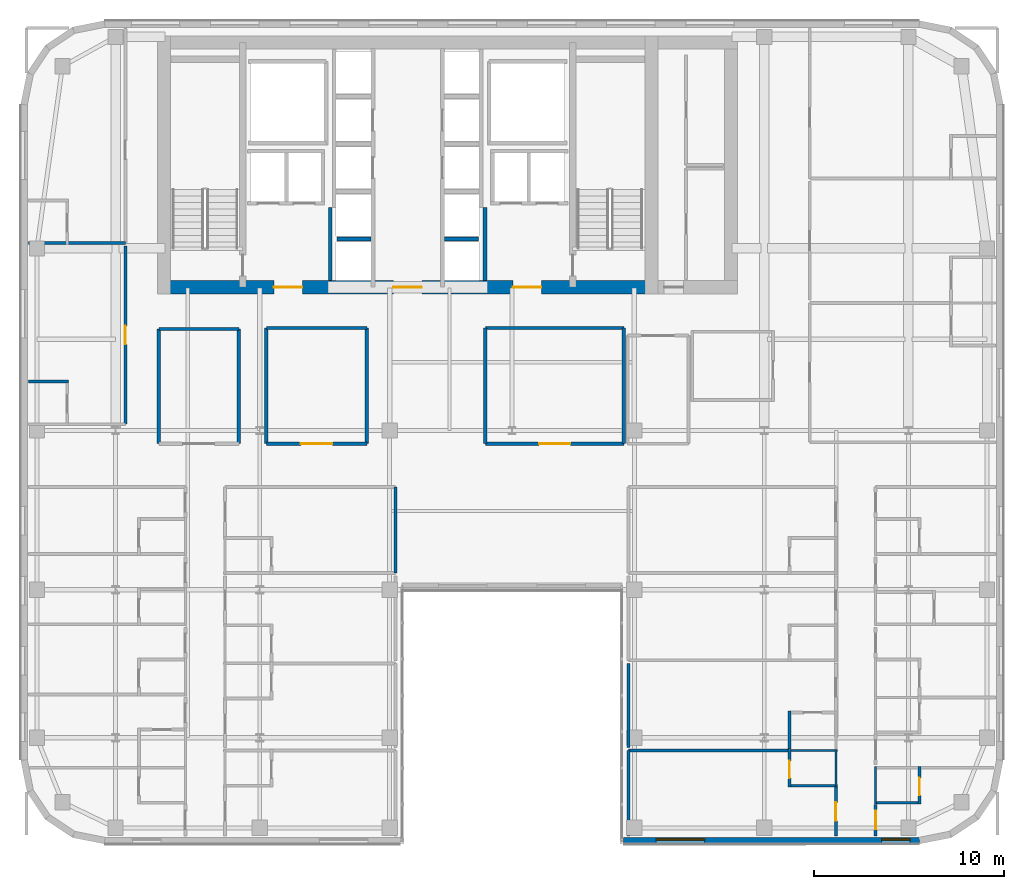
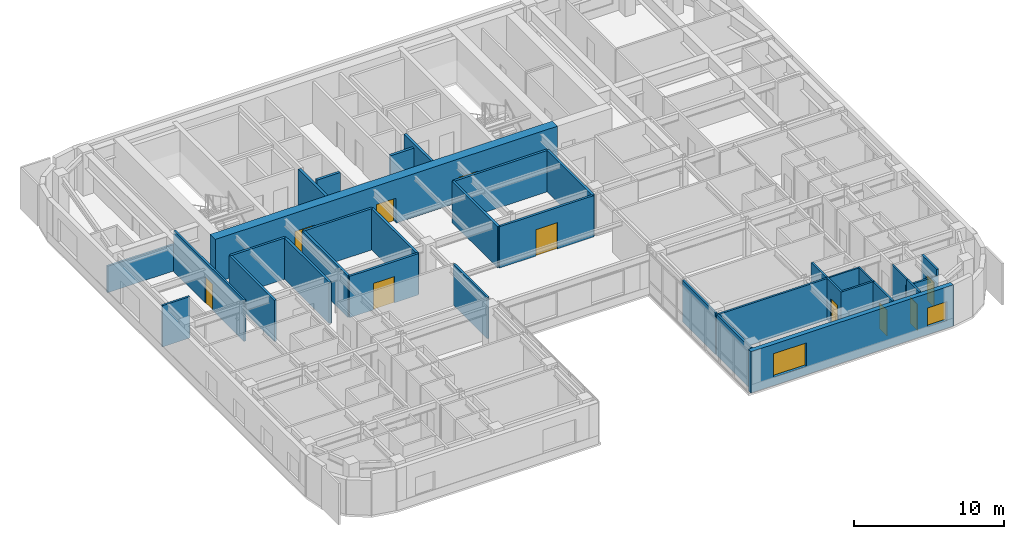
# One storey, part 11 of 21: 34 walls, 10 doors, 2 windows, 12 openings.
"""IFC4 building model written with IfcOpenShell, lengths in metres."""

from ifc_helpers import new_model, si_unit, direction, frame, frame_2d, origin, place, context, subcontext, project, spatial, rectangle, extrude, source, transform, mapped, material, layer, layer_set, type_object, type_shapes, element, fill, save


model = new_model("IFC4")

# Units and contexts
model_context = context("Model", 3, precision=1e-05, world=origin(), true_north=direction((0.0, 1.0)))
body_context = subcontext(model_context, "Body", "Model", "MODEL_VIEW")
ifc_project = project(units=[si_unit("LENGTHUNIT", "METRE"), si_unit("AREAUNIT", "SQUARE_METRE"), si_unit("VOLUMEUNIT", "CUBIC_METRE"), si_unit("PLANEANGLEUNIT", "RADIAN"), si_unit("MASSUNIT", "GRAM", prefix="KILO")], contexts=[model_context])

# Site, building, storey
site_placement = place(None, origin())
site = spatial("IfcSite", under=ifc_project, at=site_placement, CompositionType="ELEMENT")
building_placement = place(site_placement, origin())
building = spatial("IfcBuilding", under=site, at=building_placement, Name="Tolvann Quenvar Hotel", CompositionType="ELEMENT")
storey_placement = place(building_placement, frame((0.0, 0.0, 161.25)))
storey = spatial("IfcBuildingStorey", under=building, at=storey_placement, Name="L42", CompositionType="ELEMENT", Elevation=161.25)

# Wall, openings, doors
ifc_material_1 = material(Name="Concrete S65 (65 MPa)", Category="concrete")
ifc_layer_1 = layer(ifc_material_1, 0.699951171875)
ifc_layer_set_1 = layer_set([ifc_layer_1], Name="Concrete S65 (65 MPa)")
wall_type_1 = type_object("IfcWallType", Name="WALL_CORE_700", PredefinedType="SHEAR", material=ifc_layer_set_1)
wall_1_placement = place(storey_placement, frame((9.800048828125, 31.949951171875, 0.0), z_axis=(0.0, 0.0, 1.0), x_axis=(1.0, 0.0, 0.0)))
wall_1 = element("IfcWall", 1, at=wall_1_placement, inside=storey, type_object=wall_type_1, Name="Rear Core S Shear Wall (L42)", PredefinedType="SHEAR", context=body_context, shape_type="SweptSolid", body=[
    extrude(rectangle(XDim=26.39990234375, YDim=0.699951171875, at=frame_2d((13.199951171875, 0.0))), origin(), (0.0, 0.0, 1.0), 3.550048828125),
])
opening_1_placement = place(wall_1_placement, frame((7.64990234375, 0.0, 0.0), z_axis=(0.0, 0.0, 1.0), x_axis=(-1.0, 0.0, 0.0)))
opening_1 = element("IfcOpeningElement", 2, at=opening_1_placement, cuts=wall_1, Name="Opening FD-60D", PredefinedType="OPENING", context=body_context, shape_type="SweptSolid", body=[
    extrude(rectangle(XDim=1.5, YDim=2.0400390625, at=frame_2d((0.75, 1.02001953125))), frame((0.0, 0.35986328125, 0.0), z_axis=(0.0, -1.0, 0.0), x_axis=(1.0, 0.0, 0.0)), (0.0, 0.0, 1.0), 0.719970703125),
])
opening_2_placement = place(wall_1_placement, frame((13.949951171875, 0.0, 0.0), z_axis=(0.0, 0.0, 1.0), x_axis=(-1.0, 0.0, 0.0)))
opening_2 = element("IfcOpeningElement", 3, at=opening_2_placement, cuts=wall_1, Name="Opening FD-60D", PredefinedType="OPENING", context=body_context, shape_type="SweptSolid", body=[
    extrude(rectangle(XDim=1.5, YDim=2.0400390625, at=frame_2d((0.75, 1.02001953125))), frame((0.0, 0.35986328125, 0.0), z_axis=(0.0, -1.0, 0.0), x_axis=(1.0, 0.0, 0.0)), (0.0, 0.0, 1.0), 0.719970703125),
])
opening_3_placement = place(wall_1_placement, frame((20.25, 0.0, 0.0), z_axis=(0.0, 0.0, 1.0), x_axis=(-1.0, 0.0, 0.0)))
opening_3 = element("IfcOpeningElement", 4, at=opening_3_placement, cuts=wall_1, Name="Opening FD-60D", PredefinedType="OPENING", context=body_context, shape_type="SweptSolid", body=[
    extrude(rectangle(XDim=1.5, YDim=2.0400390625, at=frame_2d((0.75, 1.02001953125))), frame((0.0, 0.35986328125, 0.0), z_axis=(0.0, -1.0, 0.0), x_axis=(1.0, 0.0, 0.0)), (0.0, 0.0, 1.0), 0.719970703125),
])
ifc_material_2 = material(Name="Solid-core American oak acoustic fire door leaf in steel frame", Category="steel")
door_type_1 = type_object("IfcDoorType", Name="DOOR_FIRE_LOBBY_1500", OperationType="NOTDEFINED", PredefinedType="DOOR", material=ifc_material_2)
shared_shape_1 = source(origin(), body_context, "Body", "SweptSolid", [
    extrude(rectangle(XDim=1.5, YDim=2.0400390625, at=frame_2d((0.75, 1.02001953125))), frame((0.0, 0.02490234375, 0.0), z_axis=(0.0, -1.0, 0.0), x_axis=(1.0, 0.0, 0.0)), (0.0, 0.0, 1.0), 0.050048828125),
])
type_shapes(door_type_1, [shared_shape_1])
door_1_placement = place(opening_1_placement, origin())
door_1 = element("IfcDoor", 5, at=door_1_placement, inside=storey, type_object=door_type_1, Name="Core Lobby Fire Door FFW (L42)", OperationType="DOUBLE_DOOR_SINGLE_SWING", OverallHeight=2.0400390625, OverallWidth=1.5, PredefinedType="DOOR", context=body_context, shape_type="MappedRepresentation", body=[
    mapped(shared_shape_1, transform((0.0, 0.0, 0.0), x_axis=(1.0, 0.0, 0.0), y_axis=(0.0, 1.0, 0.0), z_axis=(0.0, 0.0, 1.0), scale=1.0)),
])
fill(opening_1, door_1)
door_2_placement = place(opening_2_placement, origin())
door_2 = element("IfcDoor", 6, at=door_2_placement, inside=storey, type_object=door_type_1, Name="Core Lobby Fire Door CLOB (L42)", OperationType="DOUBLE_DOOR_SINGLE_SWING", OverallHeight=2.0400390625, OverallWidth=1.5, PredefinedType="DOOR", context=body_context, shape_type="MappedRepresentation", body=[
    mapped(shared_shape_1, transform((0.0, 0.0, 0.0), x_axis=(1.0, 0.0, 0.0), y_axis=(0.0, 1.0, 0.0), z_axis=(0.0, 0.0, 1.0), scale=1.0)),
])
fill(opening_2, door_2)
door_3_placement = place(opening_3_placement, origin())
door_3 = element("IfcDoor", 7, at=door_3_placement, inside=storey, type_object=door_type_1, Name="Core Lobby Fire Door FFE (L42)", OperationType="DOUBLE_DOOR_SINGLE_SWING", OverallHeight=2.0400390625, OverallWidth=1.5, PredefinedType="DOOR", context=body_context, shape_type="MappedRepresentation", body=[
    mapped(shared_shape_1, transform((0.0, 0.0, 0.0), x_axis=(1.0, 0.0, 0.0), y_axis=(0.0, 1.0, 0.0), z_axis=(0.0, 0.0, 1.0), scale=1.0)),
])
fill(opening_3, door_3)

# Wall, openings, windows
ifc_material_3 = material(Name="Kiln-fired red and buff architectural clay brickwork and terracotta masonry", Category="masonry")
ifc_layer_2 = layer(ifc_material_3, 0.35009765625)
ifc_layer_set_2 = layer_set([ifc_layer_2], Name="Kiln-fired red and buff architectural clay brickwork and terracotta masonry")
wall_type_2 = type_object("IfcWallType", Name="WALL_EXT_BRICK_350", PredefinedType="SOLIDWALL", material=ifc_layer_set_2)
wall_2_placement = place(storey_placement, frame((34.375, 2.77490234375, 0.0), z_axis=(0.0, 0.0, 1.0), x_axis=(1.0, 0.0, 0.0)))
wall_2 = element("IfcWall", 8, at=wall_2_placement, inside=storey, type_object=wall_type_2, Name="Exterior Chicago Brick Wall L42-E08", PredefinedType="SOLIDWALL", context=body_context, shape_type="SweptSolid", body=[
    extrude(rectangle(XDim=15.60791015625, YDim=0.35009765625, at=frame_2d((7.803955078125, 0.0))), origin(), (0.0, 0.0, 1.0), 3.3701171875),
])
opening_4_placement = place(wall_2_placement, frame((1.72607421875, 0.0, 0.679931640625)))
opening_4 = element("IfcOpeningElement", 9, at=opening_4_placement, cuts=wall_2, Name="Opening W-09", PredefinedType="OPENING", context=body_context, shape_type="SweptSolid", body=[
    extrude(rectangle(XDim=2.550048828125, YDim=1.919921875, at=frame_2d((1.27490234375, 0.9599609375))), frame((0.0, 0.18505859375, 0.0), z_axis=(0.0, -1.0, 0.0), x_axis=(1.0, 0.0, 0.0)), (0.0, 0.0, 1.0), 0.3701171875),
])
opening_5_placement = place(wall_2_placement, frame((13.615966796875, 0.0, 0.6201171875)))
opening_5 = element("IfcOpeningElement", 10, at=opening_5_placement, cuts=wall_2, Name="Opening W-08", PredefinedType="OPENING", context=body_context, shape_type="SweptSolid", body=[
    extrude(rectangle(XDim=1.5, YDim=1.550048828125, at=frame_2d((0.75, 0.77490234375))), frame((0.0, 0.18505859375, 0.0), z_axis=(0.0, -1.0, 0.0), x_axis=(1.0, 0.0, 0.0)), (0.0, 0.0, 1.0), 0.3701171875),
])
ifc_material_4 = material(Name="Thermally broken bronze-anodised aluminium frame with double low-E glazing", Category="aluminium")
window_type_1 = type_object("IfcWindowType", Name="WIN_COR_1500x2050", PartitioningType="SINGLE_PANEL", PredefinedType="WINDOW", material=ifc_material_4)
shared_shape_2 = source(origin(), body_context, "Body", "SweptSolid", [
    extrude(rectangle(XDim=1.5, YDim=1.550048828125, at=frame_2d((0.75, 0.77490234375))), frame((0.0, 0.090087890625, 0.0), z_axis=(0.0, -1.0, 0.0), x_axis=(1.0, 0.0, 0.0)), (0.0, 0.0, 1.0), 0.06005859375),
])
type_shapes(window_type_1, [shared_shape_2])
window_1_placement = place(opening_5_placement, origin())
window_1 = element("IfcWindow", 11, at=window_1_placement, inside=storey, type_object=window_type_1, Name="Chicago Window W-08 (EW-L42-E08-WD02)", OverallHeight=1.550048828125, OverallWidth=1.5, PartitioningType="SINGLE_PANEL", PredefinedType="WINDOW", context=body_context, shape_type="MappedRepresentation", body=[
    mapped(shared_shape_2, transform((0.0, 0.0, 0.0), x_axis=(1.0, 0.0, 0.0), y_axis=(0.0, 1.0, 0.0), z_axis=(0.0, 0.0, 1.0), scale=1.0)),
])
fill(opening_5, window_1)
window_type_2 = type_object("IfcWindowType", Name="WIN_LNG_2550x1950", PartitioningType="TRIPLE_PANEL_HORIZONTAL", PredefinedType="WINDOW", material=ifc_material_4)
shared_shape_3 = source(origin(), body_context, "Body", "SweptSolid", [
    extrude(rectangle(XDim=2.550048828125, YDim=1.919921875, at=frame_2d((1.27490234375, 0.9599609375))), frame((0.0, 0.090087890625, 0.0), z_axis=(0.0, -1.0, 0.0), x_axis=(1.0, 0.0, 0.0)), (0.0, 0.0, 1.0), 0.06005859375),
])
type_shapes(window_type_2, [shared_shape_3])
window_2_placement = place(opening_4_placement, origin())
window_2 = element("IfcWindow", 12, at=window_2_placement, inside=storey, type_object=window_type_2, Name="Chicago Window W-09 (EW-L42-E08-W01)", OverallHeight=1.919921875, OverallWidth=2.550048828125, PartitioningType="TRIPLE_PANEL_HORIZONTAL", PredefinedType="WINDOW", context=body_context, shape_type="MappedRepresentation", body=[
    mapped(shared_shape_3, transform((0.0, 0.0, 0.0), x_axis=(1.0, 0.0, 0.0), y_axis=(0.0, 1.0, 0.0), z_axis=(0.0, 0.0, 1.0), scale=1.0)),
])
fill(opening_4, window_2)

# Walls
ifc_material_5 = material(Name="Acoustic twin-stud fire-rated gypsum plasterboard partition")
ifc_layer_3 = layer(ifc_material_5, 0.179931640625)
ifc_layer_set_3 = layer_set([ifc_layer_3], Name="Acoustic twin-stud fire-rated gypsum plasterboard partition")
wall_type_3 = type_object("IfcWallType", Name="WALL_PART_ACOUSTIC_180", PredefinedType="PARTITIONING", material=ifc_layer_set_3)
wall_3_placement = place(storey_placement, frame((9.8798828125, 29.75, 0.0), z_axis=(0.0, 0.0, 1.0), x_axis=(1.0, 0.0, 0.0)))
element("IfcWall", 13, at=wall_3_placement, inside=storey, type_object=wall_type_3, Name="Interior Partition PT-SPC-L42-MSP-W-N", PredefinedType="PARTITIONING", context=body_context, shape_type="SweptSolid", body=[
    extrude(rectangle(XDim=4.22021484375, YDim=0.179931640625, at=frame_2d((2.110107421875, 0.0))), origin(), (0.0, 0.0, 1.0), 3.3701171875),
])
for number, where, z_axis, x_axis, name in (
    (14, (9.8798828125, 23.699951171875, 0.0), (0.0, 0.0, 1.0), (0.0, 1.0, 0.0), "Interior Partition PT-SPC-L42-MSP-W-W"),
    (15, (14.10009765625, 23.699951171875, 0.0), (0.0, 0.0, 1.0), (0.0, 1.0, 0.0), "Interior Partition PT-SPC-L42-MSP-W-E"),
):
    element("IfcWall", number, at=place(storey_placement, frame(where, z_axis=z_axis, x_axis=x_axis)), inside=storey, type_object=wall_type_3, Name=name, PredefinedType="PARTITIONING", context=body_context, shape_type="SweptSolid", body=[
        extrude(rectangle(XDim=6.050048828125, YDim=0.179931640625, at=frame_2d((3.02490234375, 0.0))), origin(), (0.0, 0.0, 1.0), 3.3701171875),
    ])

# Wall, opening, door
wall_4_placement = place(storey_placement, frame((27.10009765625, 23.699951171875, 0.0), z_axis=(0.0, 0.0, 1.0), x_axis=(1.0, 0.0, 0.0)))
wall_4 = element("IfcWall", 16, at=wall_4_placement, inside=storey, type_object=wall_type_3, Name="Interior Partition PT-SPC-L42-MSP-C-S", PredefinedType="PARTITIONING", context=body_context, shape_type="SweptSolid", body=[
    extrude(rectangle(XDim=7.2998046875, YDim=0.179931640625, at=frame_2d((3.64990234375, 0.0))), origin(), (0.0, 0.0, 1.0), 3.3701171875),
])
opening_6_placement = place(wall_4_placement, frame((2.824951171875, 0.0, 0.0)))
opening_6 = element("IfcOpeningElement", 17, at=opening_6_placement, cuts=wall_4, Name="Opening AD-01", PredefinedType="OPENING", context=body_context, shape_type="SweptSolid", body=[
    extrude(rectangle(XDim=1.64990234375, YDim=2.14990234375, at=frame_2d((0.824951171875, 1.074951171875))), frame((0.0, 0.10009765625, 0.0), z_axis=(0.0, -1.0, 0.0), x_axis=(1.0, 0.0, 0.0)), (0.0, 0.0, 1.0), 0.199951171875),
])
door_type_2 = type_object("IfcDoorType", Name="DOOR_SALON_1650", OperationType="NOTDEFINED", PredefinedType="DOOR", material=ifc_material_2)
shared_shape_4 = source(origin(), body_context, "Body", "SweptSolid", [
    extrude(rectangle(XDim=1.64990234375, YDim=2.14990234375, at=frame_2d((0.824951171875, 1.074951171875))), frame((0.0, 0.02490234375, 0.0), z_axis=(0.0, -1.0, 0.0), x_axis=(1.0, 0.0, 0.0)), (0.0, 0.0, 1.0), 0.050048828125),
])
type_shapes(door_type_2, [shared_shape_4])
door_4_placement = place(opening_6_placement, origin())
door_4 = element("IfcDoor", 18, at=door_4_placement, inside=storey, type_object=door_type_2, Name="Interior Door DOOR-SPC-L42-MSP-C", OperationType="DOUBLE_DOOR_SINGLE_SWING", OverallHeight=2.14990234375, OverallWidth=1.64990234375, PredefinedType="DOOR", context=body_context, shape_type="MappedRepresentation", body=[
    mapped(shared_shape_4, transform((0.0, 0.0, 0.0), x_axis=(1.0, 0.0, 0.0), y_axis=(0.0, 1.0, 0.0), z_axis=(0.0, 0.0, 1.0), scale=1.0)),
])
fill(opening_6, door_4)

# Walls
wall_5_placement = place(storey_placement, frame((27.10009765625, 29.800048828125, 0.0), z_axis=(0.0, 0.0, 1.0), x_axis=(1.0, 0.0, 0.0)))
element("IfcWall", 19, at=wall_5_placement, inside=storey, type_object=wall_type_3, Name="Interior Partition PT-SPC-L42-MSP-C-N", PredefinedType="PARTITIONING", context=body_context, shape_type="SweptSolid", body=[
    extrude(rectangle(XDim=7.2998046875, YDim=0.179931640625, at=frame_2d((3.64990234375, 0.0))), origin(), (0.0, 0.0, 1.0), 3.3701171875),
])
for number, where, z_axis, x_axis, name in (
    (20, (27.10009765625, 23.699951171875, 0.0), (0.0, 0.0, 1.0), (0.0, 1.0, 0.0), "Interior Partition PT-SPC-L42-MSP-C-W"),
    (21, (34.39990234375, 23.699951171875, 0.0), (0.0, 0.0, 1.0), (0.0, 1.0, 0.0), "Interior Partition PT-SPC-L42-MSP-C-E"),
):
    element("IfcWall", number, at=place(storey_placement, frame(where, z_axis=z_axis, x_axis=x_axis)), inside=storey, type_object=wall_type_3, Name=name, PredefinedType="PARTITIONING", context=body_context, shape_type="SweptSolid", body=[
        extrude(rectangle(XDim=6.10009765625, YDim=0.179931640625, at=frame_2d((3.050048828125, 0.0))), origin(), (0.0, 0.0, 1.0), 3.3701171875),
    ])

# Wall, opening, door
wall_6_placement = place(storey_placement, frame((15.550048828125, 23.699951171875, 0.0), z_axis=(0.0, 0.0, 1.0), x_axis=(1.0, 0.0, 0.0)))
wall_6 = element("IfcWall", 22, at=wall_6_placement, inside=storey, type_object=wall_type_3, Name="Interior Partition PT-SPC-L42-MSP-N-S", PredefinedType="PARTITIONING", context=body_context, shape_type="SweptSolid", body=[
    extrude(rectangle(XDim=5.300048828125, YDim=0.179931640625, at=frame_2d((2.64990234375, 0.0))), origin(), (0.0, 0.0, 1.0), 3.3701171875),
])
opening_7_placement = place(wall_6_placement, frame((1.824951171875, 0.0, 0.0)))
opening_7 = element("IfcOpeningElement", 23, at=opening_7_placement, cuts=wall_6, Name="Opening AD-01", PredefinedType="OPENING", context=body_context, shape_type="SweptSolid", body=[
    extrude(rectangle(XDim=1.64990234375, YDim=2.14990234375, at=frame_2d((0.824951171875, 1.074951171875))), frame((0.0, 0.10009765625, 0.0), z_axis=(0.0, -1.0, 0.0), x_axis=(1.0, 0.0, 0.0)), (0.0, 0.0, 1.0), 0.199951171875),
])
door_5_placement = place(opening_7_placement, origin())
door_5 = element("IfcDoor", 24, at=door_5_placement, inside=storey, type_object=door_type_2, Name="Interior Door DOOR-SPC-L42-MSP-N", OperationType="DOUBLE_DOOR_SINGLE_SWING", OverallHeight=2.14990234375, OverallWidth=1.64990234375, PredefinedType="DOOR", context=body_context, shape_type="MappedRepresentation", body=[
    mapped(shared_shape_4, transform((0.0, 0.0, 0.0), x_axis=(1.0, 0.0, 0.0), y_axis=(0.0, 1.0, 0.0), z_axis=(0.0, 0.0, 1.0), scale=1.0)),
])
fill(opening_7, door_5)

# Walls
wall_7_placement = place(storey_placement, frame((15.550048828125, 29.800048828125, 0.0), z_axis=(0.0, 0.0, 1.0), x_axis=(1.0, 0.0, 0.0)))
element("IfcWall", 25, at=wall_7_placement, inside=storey, type_object=wall_type_3, Name="Interior Partition PT-SPC-L42-MSP-N-N", PredefinedType="PARTITIONING", context=body_context, shape_type="SweptSolid", body=[
    extrude(rectangle(XDim=5.300048828125, YDim=0.179931640625, at=frame_2d((2.64990234375, 0.0))), origin(), (0.0, 0.0, 1.0), 3.3701171875),
])
for number, where, z_axis, x_axis, name in (
    (26, (15.550048828125, 23.699951171875, 0.0), (0.0, 0.0, 1.0), (0.0, 1.0, 0.0), "Interior Partition PT-SPC-L42-MSP-N-W"),
    (27, (20.85009765625, 23.699951171875, 0.0), (0.0, 0.0, 1.0), (0.0, 1.0, 0.0), "Interior Partition PT-SPC-L42-MSP-N-E"),
):
    element("IfcWall", number, at=place(storey_placement, frame(where, z_axis=z_axis, x_axis=x_axis)), inside=storey, type_object=wall_type_3, Name=name, PredefinedType="PARTITIONING", context=body_context, shape_type="SweptSolid", body=[
        extrude(rectangle(XDim=6.10009765625, YDim=0.179931640625, at=frame_2d((3.050048828125, 0.0))), origin(), (0.0, 0.0, 1.0), 3.3701171875),
    ])
ifc_material_6 = material(Name="Moisture-resistant acoustic plumbing wall assembly")
ifc_layer_4 = layer(ifc_material_6, 0.1201171875)
ifc_layer_set_4 = layer_set([ifc_layer_4], Name="Moisture-resistant acoustic plumbing wall assembly")
wall_type_4 = type_object("IfcWallType", Name="WALL_PART_BATH_120", PredefinedType="PLUMBINGWALL", material=ifc_layer_set_4)
wall_8_placement = place(storey_placement, frame((43.06005859375, 7.52001953125, 0.0), z_axis=(0.0, 0.0, 1.0), x_axis=(1.0, 0.0, 0.0)))
element("IfcWall", 28, at=wall_8_placement, inside=storey, type_object=wall_type_4, Name="Non-Rated Plumbing Partition PT-SPC-L42-ENS-EI01-N", PredefinedType="PLUMBINGWALL", context=body_context, shape_type="SweptSolid", body=[
    extrude(rectangle(XDim=2.58984375, YDim=0.1201171875, at=frame_2d((1.294921875, 0.0))), origin(), (0.0, 0.0, 1.0), 3.3701171875),
])
for number, where, z_axis, x_axis, name in (
    (29, (45.580078125, 5.60009765625, 0.0), (0.0, 0.0, 1.0), (0.0, 1.0, 0.0), "Non-Rated Plumbing Partition PT-SPC-L42-ENS-EI01-E"),
    (30, (47.669921875, 4.699951171875, 0.0), (0.0, 0.0, 1.0), (0.0, 1.0, 0.0), "Non-Rated Plumbing Partition PT-SPC-L42-ENS-EO01-W"),
):
    element("IfcWall", number, at=place(storey_placement, frame(where, z_axis=z_axis, x_axis=x_axis)), inside=storey, type_object=wall_type_4, Name=name, PredefinedType="PLUMBINGWALL", context=body_context, shape_type="SweptSolid", body=[
        extrude(rectangle(XDim=1.989990234375, YDim=0.1201171875, at=frame_2d((0.9951171875, 0.0))), origin(), (0.0, 0.0, 1.0), 3.3701171875),
    ])

# Wall, opening, door
ifc_layer_5 = layer(ifc_material_5, 0.14990234375)
ifc_layer_set_5 = layer_set([ifc_layer_5], Name="Acoustic twin-stud fire-rated gypsum plasterboard partition")
wall_type_5 = type_object("IfcWallType", Name="WALL_PART_SUITE_150", PredefinedType="PARTITIONING", material=ifc_layer_set_5)
wall_9_placement = place(storey_placement, frame((43.1298828125, 5.60009765625, 0.0), z_axis=(0.0, 0.0, 1.0), x_axis=(0.0, 1.0, 0.0)))
wall_9 = element("IfcWall", 31, at=wall_9_placement, inside=storey, type_object=wall_type_5, Name="Interior Partition PT-SPC-L42-ENS-EI01-ENT", PredefinedType="PARTITIONING", context=body_context, shape_type="SweptSolid", body=[
    extrude(rectangle(XDim=1.989990234375, YDim=0.14990234375, at=frame_2d((0.9951171875, 0.0))), origin(), (0.0, 0.0, 1.0), 3.3701171875),
])
opening_8_placement = place(wall_9_placement, frame((0.465087890625, 0.0, 0.0)))
opening_8 = element("IfcOpeningElement", 32, at=opening_8_placement, cuts=wall_9, Name="Opening WD-01", PredefinedType="OPENING", context=body_context, shape_type="SweptSolid", body=[
    extrude(rectangle(XDim=0.919921875, YDim=2.010009765625, at=frame_2d((0.4599609375, 1.0048828125))), frame((0.0, 0.0849609375, 0.0), z_axis=(0.0, -1.0, 0.0), x_axis=(1.0, 0.0, 0.0)), (0.0, 0.0, 1.0), 0.169921875),
])
door_type_3 = type_object("IfcDoorType", Name="DOOR_WC_920", OperationType="NOTDEFINED", PredefinedType="DOOR", material=ifc_material_2)
shared_shape_5 = source(origin(), body_context, "Body", "SweptSolid", [
    extrude(rectangle(XDim=0.919921875, YDim=2.010009765625, at=frame_2d((0.4599609375, 1.0048828125))), frame((0.0, 0.02490234375, 0.0), z_axis=(0.0, -1.0, 0.0), x_axis=(1.0, 0.0, 0.0)), (0.0, 0.0, 1.0), 0.050048828125),
])
type_shapes(door_type_3, [shared_shape_5])
door_6_placement = place(opening_8_placement, origin())
door_6 = element("IfcDoor", 33, at=door_6_placement, inside=storey, type_object=door_type_3, Name="Interior Door DOOR-SPC-L42-ENS-EI01", OperationType="SINGLE_SWING_LEFT", OverallHeight=2.010009765625, OverallWidth=0.919921875, PredefinedType="DOOR", context=body_context, shape_type="MappedRepresentation", body=[
    mapped(shared_shape_5, transform((0.0, 0.0, 0.0), x_axis=(1.0, 0.0, 0.0), y_axis=(0.0, 1.0, 0.0), z_axis=(0.0, 0.0, 1.0), scale=1.0)),
])
fill(opening_8, door_6)

# Walls
wall_10_placement = place(storey_placement, frame((43.06005859375, 5.669921875, 0.0), z_axis=(0.0, 0.0, 1.0), x_axis=(1.0, 0.0, 0.0)))
element("IfcWall", 34, at=wall_10_placement, inside=storey, type_object=wall_type_5, Name="Interior Partition PT-SPC-L42-ENS-EI01-S", PredefinedType="PARTITIONING", context=body_context, shape_type="SweptSolid", body=[
    extrude(rectangle(XDim=2.58984375, YDim=0.14990234375, at=frame_2d((1.294921875, 0.0))), origin(), (0.0, 0.0, 1.0), 3.3701171875),
])
wall_11_placement = place(storey_placement, frame((43.1298828125, 7.610107421875, 0.0), z_axis=(0.0, 0.0, 1.0), x_axis=(0.0, 1.0, 0.0)))
element("IfcWall", 35, at=wall_11_placement, inside=storey, type_object=wall_type_5, Name="Interior Partition PT-SPC-L42-ENS-EI02-ENT", PredefinedType="PARTITIONING", context=body_context, shape_type="SweptSolid", body=[
    extrude(rectangle(XDim=1.989990234375, YDim=0.14990234375, at=frame_2d((0.9951171875, 0.0))), origin(), (0.0, 0.0, 1.0), 3.3701171875),
])

# Wall, opening, door
wall_12_placement = place(storey_placement, frame((49.985107421875, 4.699951171875, 0.0), z_axis=(0.0, 0.0, 1.0), x_axis=(0.0, 1.0, 0.0)))
wall_12 = element("IfcWall", 36, at=wall_12_placement, inside=storey, type_object=wall_type_5, Name="Interior Partition PT-SPC-L42-ENS-EO01-ENT", PredefinedType="PARTITIONING", context=body_context, shape_type="SweptSolid", body=[
    extrude(rectangle(XDim=1.989990234375, YDim=0.14990234375, at=frame_2d((0.9951171875, 0.0))), origin(), (0.0, 0.0, 1.0), 3.3701171875),
])
opening_9_placement = place(wall_12_placement, frame((0.465087890625, 0.0, 0.0)))
opening_9 = element("IfcOpeningElement", 37, at=opening_9_placement, cuts=wall_12, Name="Opening WD-01", PredefinedType="OPENING", context=body_context, shape_type="SweptSolid", body=[
    extrude(rectangle(XDim=0.919921875, YDim=2.010009765625, at=frame_2d((0.4599609375, 1.0048828125))), frame((0.0, 0.0849609375, 0.0), z_axis=(0.0, -1.0, 0.0), x_axis=(1.0, 0.0, 0.0)), (0.0, 0.0, 1.0), 0.169921875),
])
door_7_placement = place(opening_9_placement, origin())
door_7 = element("IfcDoor", 38, at=door_7_placement, inside=storey, type_object=door_type_3, Name="Interior Door DOOR-SPC-L42-ENS-EO01", OperationType="SINGLE_SWING_LEFT", OverallHeight=2.010009765625, OverallWidth=0.919921875, PredefinedType="DOOR", context=body_context, shape_type="MappedRepresentation", body=[
    mapped(shared_shape_5, transform((0.0, 0.0, 0.0), x_axis=(1.0, 0.0, 0.0), y_axis=(0.0, 1.0, 0.0), z_axis=(0.0, 0.0, 1.0), scale=1.0)),
])
fill(opening_9, door_7)

# Walls
wall_13_placement = place(storey_placement, frame((47.60009765625, 4.77001953125, 0.0), z_axis=(0.0, 0.0, 1.0), x_axis=(1.0, 0.0, 0.0)))
element("IfcWall", 39, at=wall_13_placement, inside=storey, type_object=wall_type_5, Name="Interior Partition PT-SPC-L42-ENS-EO01-S", PredefinedType="PARTITIONING", context=body_context, shape_type="SweptSolid", body=[
    extrude(rectangle(XDim=2.454833984375, YDim=0.14990234375, at=frame_2d((1.2275390625, 0.0))), origin(), (0.0, 0.0, 1.0), 2.83203125),
])
wall_14_placement = place(storey_placement, frame((3.0048828125, 26.97998046875, 0.0), z_axis=(0.0, 0.0, 1.0), x_axis=(1.0, 0.0, 0.0)))
element("IfcWall", 40, at=wall_14_placement, inside=storey, type_object=wall_type_5, Name="Interior Partition PT-SPC-L42-ENS-NW01-N", PredefinedType="PARTITIONING", context=body_context, shape_type="SweptSolid", body=[
    extrude(rectangle(XDim=2.115234375, YDim=0.14990234375, at=frame_2d((1.0576171875, 0.0))), origin(), (0.0, 0.0, 1.0), 3.3701171875),
])
wall_15_placement = place(storey_placement, frame((3.0048828125, 34.280029296875, 0.0), z_axis=(0.0, 0.0, 1.0), x_axis=(1.0, 0.0, 0.0)))
element("IfcWall", 41, at=wall_15_placement, inside=storey, type_object=wall_type_5, Name="Interior Partition PT-SPC-L42-ENS-NW02-S", PredefinedType="PARTITIONING", context=body_context, shape_type="SweptSolid", body=[
    extrude(rectangle(XDim=5.115234375, YDim=0.14990234375, at=frame_2d((2.5576171875, 0.0))), origin(), (0.0, 0.0, 1.0), 2.159912109375),
])
wall_16_placement = place(storey_placement, frame((22.35009765625, 16.8798828125, 0.0), z_axis=(0.0, 0.0, 1.0), x_axis=(0.0, 1.0, 0.0)))
element("IfcWall", 42, at=wall_16_placement, inside=storey, type_object=wall_type_5, Name="Interior Partition PT-SPC-L42-RM-WI04-E4", PredefinedType="PARTITIONING", context=body_context, shape_type="SweptSolid", body=[
    extrude(rectangle(XDim=4.5400390625, YDim=0.14990234375, at=frame_2d((2.27001953125, 0.0))), origin(), (0.0, 0.0, 1.0), 3.3701171875),
])

# Wall, opening, door
wall_17_placement = place(storey_placement, frame((45.580078125, 3.0048828125, 0.0), z_axis=(0.0, 0.0, 1.0), x_axis=(0.0, 1.0, 0.0)))
wall_17 = element("IfcWall", 43, at=wall_17_placement, inside=storey, type_object=wall_type_5, Name="Interior Partition PT-SPC-L42-RM-EI01-ENT", PredefinedType="PARTITIONING", context=body_context, shape_type="SweptSolid", body=[
    extrude(rectangle(XDim=2.585205078125, YDim=0.14990234375, at=frame_2d((1.29248046875, 0.0))), origin(), (0.0, 0.0, 1.0), 3.3701171875),
])
opening_10_placement = place(wall_17_placement, frame((0.81005859375, 0.0, 0.0)))
opening_10 = element("IfcOpeningElement", 44, at=opening_10_placement, cuts=wall_17, Name="Opening SD-01", PredefinedType="OPENING", context=body_context, shape_type="SweptSolid", body=[
    extrude(rectangle(XDim=0.97998046875, YDim=2.1201171875, at=frame_2d((0.489990234375, 1.06005859375))), frame((0.0, 0.0849609375, 0.0), z_axis=(0.0, -1.0, 0.0), x_axis=(1.0, 0.0, 0.0)), (0.0, 0.0, 1.0), 0.169921875),
])
door_type_4 = type_object("IfcDoorType", Name="DOOR_SUITE_980", OperationType="NOTDEFINED", PredefinedType="DOOR", material=ifc_material_2)
shared_shape_6 = source(origin(), body_context, "Body", "SweptSolid", [
    extrude(rectangle(XDim=0.97998046875, YDim=2.1201171875, at=frame_2d((0.489990234375, 1.06005859375))), frame((0.0, 0.02490234375, 0.0), z_axis=(0.0, -1.0, 0.0), x_axis=(1.0, 0.0, 0.0)), (0.0, 0.0, 1.0), 0.050048828125),
])
type_shapes(door_type_4, [shared_shape_6])
door_8_placement = place(opening_10_placement, origin())
door_8 = element("IfcDoor", 45, at=door_8_placement, inside=storey, type_object=door_type_4, Name="Interior Door DOOR-SPC-L42-RM-EI01", OperationType="SINGLE_SWING_RIGHT", OverallHeight=2.1201171875, OverallWidth=0.97998046875, PredefinedType="DOOR", context=body_context, shape_type="MappedRepresentation", body=[
    mapped(shared_shape_6, transform((0.0, 0.0, 0.0), x_axis=(1.0, 0.0, 0.0), y_axis=(0.0, 1.0, 0.0), z_axis=(0.0, 0.0, 1.0), scale=1.0)),
])
fill(opening_10, door_8)

# Walls
wall_18_placement = place(storey_placement, frame((34.64990234375, 7.52001953125, 0.0), z_axis=(0.0, 0.0, 1.0), x_axis=(1.0, 0.0, 0.0)))
element("IfcWall", 46, at=wall_18_placement, inside=storey, type_object=wall_type_5, Name="Interior Partition PT-SPC-L42-RM-EI01-E5", PredefinedType="PARTITIONING", context=body_context, shape_type="SweptSolid", body=[
    extrude(rectangle(XDim=8.460205078125, YDim=0.14990234375, at=frame_2d((4.22998046875, 0.0))), origin(), (0.0, 0.0, 1.0), 3.3701171875),
])
wall_19_placement = place(storey_placement, frame((34.64990234375, 3.0048828125, 0.0), z_axis=(0.0, 0.0, 1.0), x_axis=(0.0, 1.0, 0.0)))
element("IfcWall", 47, at=wall_19_placement, inside=storey, type_object=wall_type_5, Name="Interior Partition PT-SPC-L42-RM-EI01-E6", PredefinedType="PARTITIONING", context=body_context, shape_type="SweptSolid", body=[
    extrude(rectangle(XDim=4.51513671875, YDim=0.14990234375, at=frame_2d((2.257568359375, 0.0))), origin(), (0.0, 0.0, 1.0), 3.3701171875),
])
wall_20_placement = place(storey_placement, frame((34.64990234375, 7.679931640625, 0.0), z_axis=(0.0, 0.0, 1.0), x_axis=(0.0, 1.0, 0.0)))
element("IfcWall", 48, at=wall_20_placement, inside=storey, type_object=wall_type_5, Name="Interior Partition PT-SPC-L42-RM-EI02-E6", PredefinedType="PARTITIONING", context=body_context, shape_type="SweptSolid", body=[
    extrude(rectangle(XDim=4.440185546875, YDim=0.14990234375, at=frame_2d((2.22021484375, 0.0))), origin(), (0.0, 0.0, 1.0), 3.3701171875),
])

# Wall, opening, door
wall_21_placement = place(storey_placement, frame((47.669921875, 3.0048828125, 0.0), z_axis=(0.0, 0.0, 1.0), x_axis=(0.0, 1.0, 0.0)))
wall_21 = element("IfcWall", 49, at=wall_21_placement, inside=storey, type_object=wall_type_5, Name="Interior Partition PT-SPC-L42-RM-EO01-ENT", PredefinedType="PARTITIONING", context=body_context, shape_type="SweptSolid", body=[
    extrude(rectangle(XDim=1.68505859375, YDim=0.14990234375, at=frame_2d((0.842529296875, 0.0))), origin(), (0.0, 0.0, 1.0), 3.3701171875),
])
opening_11_placement = place(wall_21_placement, frame((0.360107421875, 0.0, 0.0)))
opening_11 = element("IfcOpeningElement", 50, at=opening_11_placement, cuts=wall_21, Name="Opening SD-01", PredefinedType="OPENING", context=body_context, shape_type="SweptSolid", body=[
    extrude(rectangle(XDim=0.97998046875, YDim=2.1201171875, at=frame_2d((0.489990234375, 1.06005859375))), frame((0.0, 0.0849609375, 0.0), z_axis=(0.0, -1.0, 0.0), x_axis=(1.0, 0.0, 0.0)), (0.0, 0.0, 1.0), 0.169921875),
])
door_9_placement = place(opening_11_placement, origin())
door_9 = element("IfcDoor", 51, at=door_9_placement, inside=storey, type_object=door_type_4, Name="Interior Door DOOR-SPC-L42-RM-EO01", OperationType="SINGLE_SWING_RIGHT", OverallHeight=2.1201171875, OverallWidth=0.97998046875, PredefinedType="DOOR", context=body_context, shape_type="MappedRepresentation", body=[
    mapped(shared_shape_6, transform((0.0, 0.0, 0.0), x_axis=(1.0, 0.0, 0.0), y_axis=(0.0, 1.0, 0.0), z_axis=(0.0, 0.0, 1.0), scale=1.0)),
])
fill(opening_11, door_9)

wall_22_placement = place(storey_placement, frame((8.1201171875, 24.72998046875, 0.0), z_axis=(0.0, 0.0, 1.0), x_axis=(0.0, 1.0, 0.0)))
wall_22 = element("IfcWall", 52, at=wall_22_placement, inside=storey, type_object=wall_type_5, Name="Interior Partition PT-SPC-L42-RM-NW01-ENT", PredefinedType="PARTITIONING", context=body_context, shape_type="SweptSolid", body=[
    extrude(rectangle(XDim=9.39013671875, YDim=0.14990234375, at=frame_2d((4.695068359375, 0.0))), origin(), (0.0, 0.0, 1.0), 3.3701171875),
])
opening_12_placement = place(wall_22_placement, frame((4.205078125, 0.0, 0.0)))
opening_12 = element("IfcOpeningElement", 53, at=opening_12_placement, cuts=wall_22, Name="Opening SD-01", PredefinedType="OPENING", context=body_context, shape_type="SweptSolid", body=[
    extrude(rectangle(XDim=0.97998046875, YDim=2.1201171875, at=frame_2d((0.489990234375, 1.06005859375))), frame((0.0, 0.0849609375, 0.0), z_axis=(0.0, -1.0, 0.0), x_axis=(1.0, 0.0, 0.0)), (0.0, 0.0, 1.0), 0.169921875),
])
door_10_placement = place(opening_12_placement, origin())
door_10 = element("IfcDoor", 54, at=door_10_placement, inside=storey, type_object=door_type_4, Name="Interior Door DOOR-SPC-L42-RM-NW01", OperationType="SINGLE_SWING_LEFT", OverallHeight=2.1201171875, OverallWidth=0.97998046875, PredefinedType="DOOR", context=body_context, shape_type="MappedRepresentation", body=[
    mapped(shared_shape_6, transform((0.0, 0.0, 0.0), x_axis=(1.0, 0.0, 0.0), y_axis=(0.0, 1.0, 0.0), z_axis=(0.0, 0.0, 1.0), scale=1.0)),
])
fill(opening_12, door_10)

# Walls
ifc_material_7 = material(Name="Concrete N40 (40 MPa)", Category="concrete")
ifc_layer_6 = layer(ifc_material_7, 0.199951171875)
ifc_layer_set_6 = layer_set([ifc_layer_6], Name="Concrete N40 (40 MPa)")
wall_type_6 = type_object("IfcWallType", Name="WALL_SHAFT_200", PredefinedType="SOLIDWALL", material=ifc_layer_set_6)
for number, where, z_axis, x_axis, name in (
    (55, (18.919921875, 32.303955078125, 0.0), (0.0, 0.0, 1.0), (0.0, 1.0, 0.0), "Firefighting Lobby W Inner Fire Wall (L42)"),
    (56, (27.080078125, 32.303955078125, 0.0), (0.0, 0.0, 1.0), (0.0, 1.0, 0.0), "Firefighting Lobby E Inner Fire Wall (L42)"),
):
    element("IfcWall", number, at=place(storey_placement, frame(where, z_axis=z_axis, x_axis=x_axis)), inside=storey, type_object=wall_type_6, Name=name, PredefinedType="SOLIDWALL", context=body_context, shape_type="SweptSolid", body=[
        extrude(rectangle(XDim=3.845947265625, YDim=0.199951171875, at=frame_2d((1.9228515625, 0.0))), origin(), (0.0, 0.0, 1.0), 3.3701171875),
    ])
for number, where, z_axis, x_axis, name in (
    (57, (19.27001953125, 34.5, 0.0), (0.0, 0.0, 1.0), (1.0, 0.0, 0.0), "Lift Bank E21.1C1 Divider Wall 1 (L42)"),
    (58, (24.929931640625, 34.5, 0.0), (0.0, 0.0, 1.0), (1.0, 0.0, 0.0), "Lift Bank W24.9C1 Divider Wall 1 (L42)"),
):
    element("IfcWall", number, at=place(storey_placement, frame(where, z_axis=z_axis, x_axis=x_axis)), inside=storey, type_object=wall_type_6, Name=name, PredefinedType="SOLIDWALL", context=body_context, shape_type="SweptSolid", body=[
        extrude(rectangle(XDim=1.800048828125, YDim=0.199951171875, at=frame_2d((0.89990234375, 0.0))), origin(), (0.0, 0.0, 1.0), 3.3701171875),
    ])

save(model, "model.ifc")
